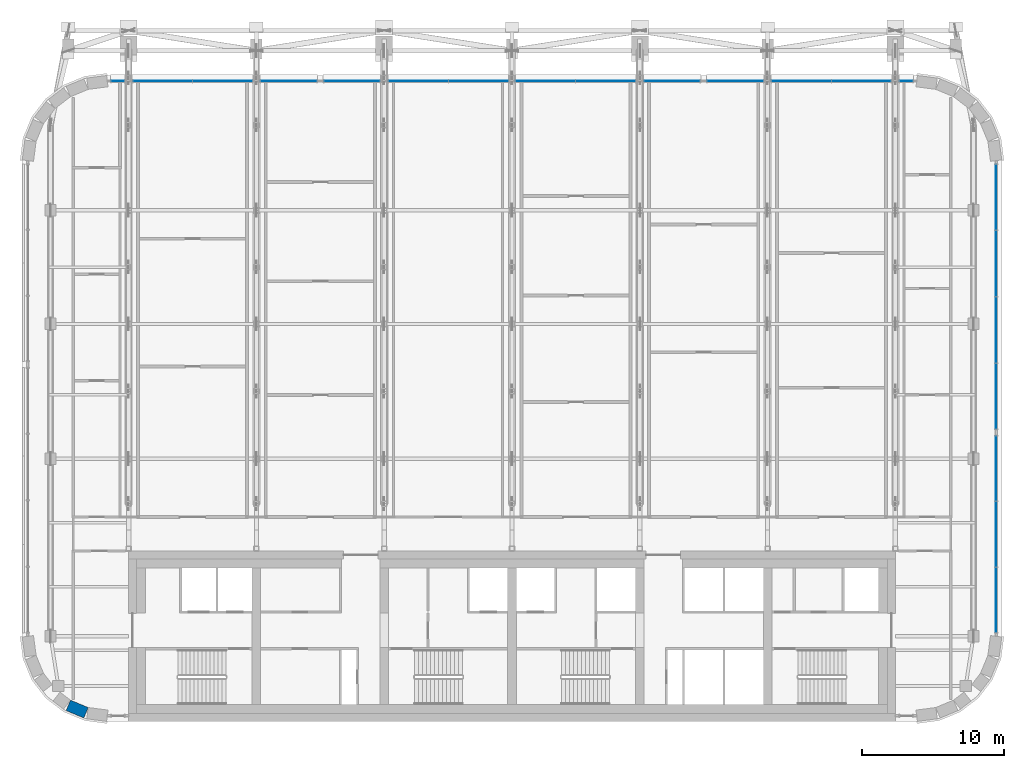
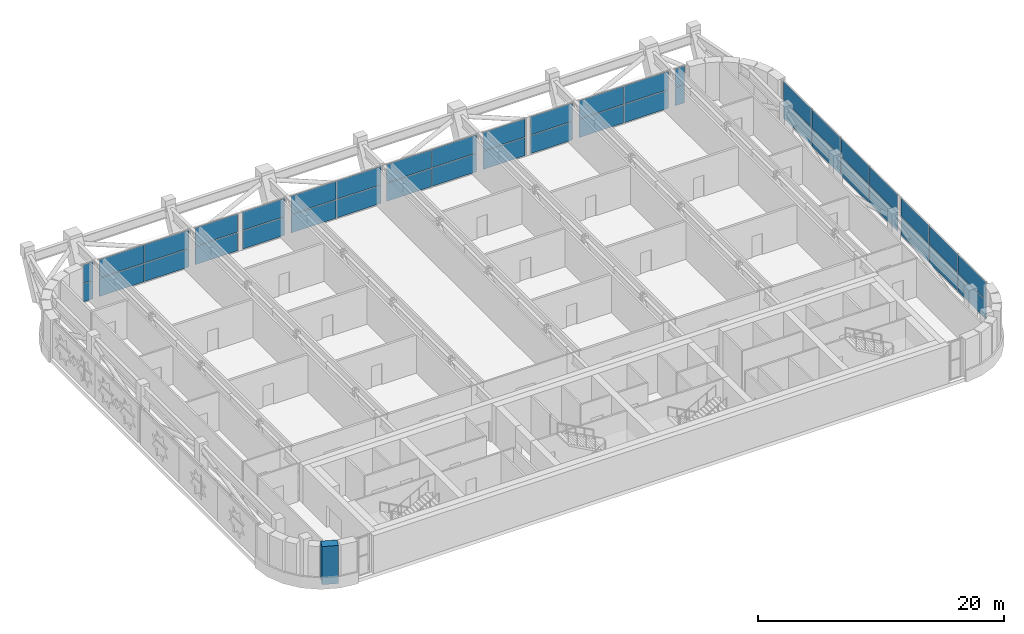
# One storey, part 17 of 28: 42 plates, 1 wall, 12 elements without a shape of their own.
"""IFC4 building model written with IfcOpenShell, lengths in metres."""

import ifcopenshell
import ifcopenshell.guid

model = None  # the IFC model being written
_history = None  # IfcOwnerHistory: only IFC2X3 demands one
_inside = {}  # id of a spatial element -> (the spatial element, [elements in it])
_under = {}  # id of a project, library or spatial element -> (it, [spatial elements below it])
_declared = {}  # id of a project -> (the project, [libraries it declares])
_typed = {}  # id of a type object -> (the type object, [elements of that type])
_made_of = {}  # id of a material, layer set ... -> (it, [elements and type objects made of it])


def new_model(schema):
    """Start an empty IFC model of exactly this schema.

    Asked for "IFC4X3", IfcOpenShell would pick the latest addendum, in which some entities
    have other attributes; the version numbers below select the first issue.
    IFC2X3 requires an IfcOwnerHistory on every rooted entity: one is made here for all.
    """
    global model, _history
    if schema == "IFC4X3":
        model = ifcopenshell.file(schema_version=(4, 3, 0, 0))
    else:
        model = ifcopenshell.file(schema=schema)
    _inside.clear()
    _under.clear()
    _declared.clear()
    _typed.clear()
    _made_of.clear()
    _history = None
    if model.schema == "IFC2X3":
        org = make("IfcOrganization", Name="unknown")
        user = make(
            "IfcPersonAndOrganization",
            ThePerson=make("IfcPerson", FamilyName="unknown"),
            TheOrganization=org,
        )
        app = make(
            "IfcApplication",
            ApplicationDeveloper=org,
            Version="unknown",
            ApplicationFullName="unknown",
            ApplicationIdentifier="unknown",
        )
        _history = make(
            "IfcOwnerHistory",
            OwningUser=user,
            OwningApplication=app,
            ChangeAction="ADDED",
            CreationDate=0,
        )
    return model


def make(cls, **values):
    """One entity of the class cls with the attributes given. An attribute that is None is left unset."""
    return model.create_entity(
        cls, **{name: value for name, value in values.items() if value is not None}
    )


def rooted(cls, **values):
    """An entity with a GlobalId (a new one), such as an element, a storey or a relation."""
    return make(cls, GlobalId=ifcopenshell.guid.new(), OwnerHistory=_history, **values)


def si_unit(unit_type, name, prefix=None):
    """IfcSIUnit, for example si_unit("LENGTHUNIT", "METRE", prefix="MILLI")."""
    return make("IfcSIUnit", UnitType=unit_type, Prefix=prefix, Name=name)


def assignment(units):
    """IfcUnitAssignment: the units of a project."""
    return None if units is None else make("IfcUnitAssignment", Units=units)


def point(xyz):
    """IfcCartesianPoint."""
    return None if xyz is None else make("IfcCartesianPoint", Coordinates=xyz)


def direction(xyz):
    """IfcDirection."""
    return None if xyz is None else make("IfcDirection", DirectionRatios=xyz)


def frame(location, z_axis=None, x_axis=None):
    """IfcAxis2Placement3D, a coordinate frame: its origin and axes. An axis left out is left unset."""
    return make(
        "IfcAxis2Placement3D",
        Location=point(location),
        Axis=direction(z_axis),
        RefDirection=direction(x_axis),
    )


def frame_2d(location, x_axis=None):
    """IfcAxis2Placement2D, a coordinate frame in the plane: its origin and x axis."""
    return make(
        "IfcAxis2Placement2D", Location=point(location), RefDirection=direction(x_axis)
    )


def origin():
    """The frame at (0, 0, 0) with its axes left unset."""
    return frame((0.0, 0.0, 0.0))


def origin_2d():
    """The frame at (0, 0) in the plane with its x axis left unset."""
    return frame_2d((0.0, 0.0))


def place(relative_to, where):
    """IfcLocalPlacement: puts the frame where relative to a parent placement (None: the world)."""
    return make(
        "IfcLocalPlacement", PlacementRelTo=relative_to, RelativePlacement=where
    )


def context(
    kind, dimensions, precision=None, world=None, true_north=None, identifier=None
):
    """IfcGeometricRepresentationContext, for example the 3D "Model" context."""
    return make(
        "IfcGeometricRepresentationContext",
        ContextIdentifier=identifier,
        ContextType=kind,
        CoordinateSpaceDimension=dimensions,
        Precision=precision,
        WorldCoordinateSystem=world,
        TrueNorth=true_north,
    )


def subcontext(parent, identifier, kind, view, scale=None):
    """IfcGeometricRepresentationSubContext, for example "Body" below "Model"."""
    return make(
        "IfcGeometricRepresentationSubContext",
        ContextIdentifier=identifier,
        ContextType=kind,
        ParentContext=parent,
        TargetScale=scale,
        TargetView=view,
    )


def project(units=None, contexts=None):
    """IfcProject with its units and contexts."""
    return rooted(
        "IfcProject",
        Name="project",
        RepresentationContexts=contexts,
        UnitsInContext=assignment(units),
    )


def spatial(cls, under=None, at=None, **own):
    """A site, building, storey or space (cls), placed at a placement, below another one or the project."""
    s = rooted(cls, ObjectPlacement=at, **own)
    if under is not None:
        _under.setdefault(under.id(), (under, []))[1].append(s)
    return s


def profile(cls, at=None, kind="AREA", **sizes):
    """A parametric profile (cls). Its sizes go by their IFC names, for example OverallWidth=200.0."""
    return make(cls, ProfileType=kind, Position=at, **sizes)


def rectangle(**sizes):
    """IfcRectangleProfileDef."""
    return profile("IfcRectangleProfileDef", **sizes)


def extrude(swept, where, along, depth):
    """IfcExtrudedAreaSolid: the profile swept, set in the frame where, extruded along a direction by depth."""
    return make(
        "IfcExtrudedAreaSolid",
        SweptArea=swept,
        Position=where,
        ExtrudedDirection=direction(along),
        Depth=depth,
    )


def shape(context_of_items, identifier, shape_type, items):
    """IfcShapeRepresentation: the items that make up one representation, for example the "Body"."""
    return make(
        "IfcShapeRepresentation",
        ContextOfItems=context_of_items,
        RepresentationIdentifier=identifier,
        RepresentationType=shape_type,
        Items=items,
    )


def material(Name=None, Category=None):
    """IfcMaterial."""
    return make("IfcMaterial", Name=Name, Category=Category)


def layer(
    of_material, thickness, ventilated=None, Name=None, Category=None, Priority=None
):
    """IfcMaterialLayer: one layer of a wall or slab, of a material (None: an air gap)."""
    return make(
        "IfcMaterialLayer",
        Material=of_material,
        LayerThickness=thickness,
        IsVentilated=ventilated,
        Name=Name,
        Category=Category,
        Priority=Priority,
    )


def layer_set(layers, Name=None):
    """IfcMaterialLayerSet."""
    return make("IfcMaterialLayerSet", MaterialLayers=layers, LayerSetName=Name)


def made_of(thing, what):
    """Note that an element or type object is made of a material, layer set ...; save() writes the relation."""
    if what is not None:
        _made_of.setdefault(what.id(), (what, []))[1].append(thing)
    return thing


def type_object(cls, material=None, **own):
    """A type object (cls), such as IfcWallType, which elements share."""
    return made_of(rooted(cls, **own), material)


def element(
    cls,
    number,
    at=None,
    inside=None,
    cuts=None,
    type_object=None,
    material=None,
    context=None,
    identifier="Body",
    shape_type=None,
    held_by="IfcProductDefinitionShape",
    body=None,
    shapes=None,
    **own,
):
    """One element of the class cls, such as IfcWall. Its Tag is "e" and its number.

    at: its placement. inside: the storey or other place that contains it. cuts: it is an
    opening in that element (IfcRelVoidsElement). A single representation is given by context,
    identifier, shape_type and body (its items); several are given by shapes. held_by: the class
    of the entity that holds the representations. save() writes the other relations.
    """
    e = rooted(cls, Tag="e%d" % number, ObjectPlacement=at, **own)
    if body is not None:
        shapes = [shape(context, identifier, shape_type, body)]
    if shapes is not None:
        e.Representation = make(held_by, Representations=shapes)
    if inside is not None:
        _inside.setdefault(inside.id(), (inside, []))[1].append(e)
    if cuts is not None:
        rooted(
            "IfcRelVoidsElement", RelatingBuildingElement=cuts, RelatedOpeningElement=e
        )
    if type_object is not None:
        _typed.setdefault(type_object.id(), (type_object, []))[1].append(e)
    return made_of(e, material)


def aggregate(whole, parts):
    """IfcRelAggregates: a whole, such as a stair, and the parts it consists of."""
    return rooted("IfcRelAggregates", RelatingObject=whole, RelatedObjects=parts)


def save(model, path):
    """Write the relations noted so far, then the file.

    IfcRelAggregates (storeys below a building ...), IfcRelContainedInSpatialStructure (elements
    in a storey), IfcRelDefinesByType, IfcRelAssociatesMaterial and IfcRelDeclares: one each for
    every whole, place, type object, material and project.
    """
    for whole, parts in _under.values():
        aggregate(whole, parts)
    for where, things in _inside.values():
        rooted(
            "IfcRelContainedInSpatialStructure",
            RelatedElements=things,
            RelatingStructure=where,
        )
    for kind, things in _typed.values():
        rooted("IfcRelDefinesByType", RelatedObjects=things, RelatingType=kind)
    for what, things in _made_of.values():
        rooted("IfcRelAssociatesMaterial", RelatedObjects=things, RelatingMaterial=what)
    for by, libraries in _declared.values():
        rooted("IfcRelDeclares", RelatingContext=by, RelatedDefinitions=libraries)
    model.write(path)


model = new_model("IFC4")

# Units and contexts
model_context = context("Model", 3, precision=1e-05, world=origin(), true_north=direction((0.0, 1.0)))
body_context = subcontext(model_context, "Body", "Model", "MODEL_VIEW")
ifc_project = project(units=[si_unit("LENGTHUNIT", "METRE"), si_unit("AREAUNIT", "SQUARE_METRE"), si_unit("VOLUMEUNIT", "CUBIC_METRE"), si_unit("PLANEANGLEUNIT", "RADIAN"), si_unit("MASSUNIT", "GRAM", prefix="KILO")], contexts=[model_context])

# Site, building, storey
site_placement = place(None, origin())
site = spatial("IfcSite", under=ifc_project, at=site_placement, CompositionType="ELEMENT")
building_placement = place(site_placement, origin())
building = spatial("IfcBuilding", under=site, at=building_placement, Name="Zellij Exchange Tower", CompositionType="ELEMENT")
storey_placement = place(building_placement, frame((0.0, 0.0, 268.5)))
storey = spatial("IfcBuildingStorey", under=building, at=storey_placement, Name="L63", CompositionType="ELEMENT", Elevation=268.5)

# Curtain wall, plates
ifc_material_1 = material(Name="Aluminium frame, clear insulating glass", Category="aluminium")
curtain_wall_type = type_object("IfcCurtainWallType", Name="ENV-CW2 Outrigger-storey glazing", PredefinedType="NOTDEFINED", material=ifc_material_1)
curtain_wall_1_placement = place(storey_placement, origin())
curtain_wall_1 = element("IfcCurtainWall", 1, at=curtain_wall_1_placement, inside=storey, type_object=curtain_wall_type, Name="cw.L63.07a", PredefinedType="NOTDEFINED")
ifc_material_2 = material(Name="Aluminium louvre", Category="aluminium")
ifc_layer_1 = layer(ifc_material_2, 0.031982421875)
ifc_layer_set_1 = layer_set([ifc_layer_1], Name="Aluminium louvre")
plate_type_1 = type_object("IfcPlateType", Name="ENV-CW2L Louvred panel 32", PredefinedType="CURTAIN_PANEL", material=ifc_layer_set_1)
plate_1_placement = place(storey_placement, frame((34.10009765625, -5.436279296875, 0.06005859375), z_axis=(0.0, 0.0, 1.0), x_axis=(0.0, 1.0, 0.0)))
plate_1 = element("IfcPlate", 2, at=plate_1_placement, type_object=plate_type_1, Name="CW2 panel 1.1", PredefinedType="CURTAIN_PANEL", context=body_context, shape_type="SweptSolid", body=[
    extrude(rectangle(XDim=4.554931640625, YDim=0.031982421875, at=origin_2d()), origin(), (0.0, 0.0, 1.0), 1.800048828125),
])
plate_2_placement = place(storey_placement, frame((34.10009765625, -0.806396484375, 0.06005859375), z_axis=(0.0, 0.0, 1.0), x_axis=(0.0, 1.0, 0.0)))
plate_2 = element("IfcPlate", 3, at=plate_2_placement, type_object=plate_type_1, Name="CW2 panel 2.1", PredefinedType="CURTAIN_PANEL", context=body_context, shape_type="SweptSolid", body=[
    extrude(rectangle(XDim=4.5849609375, YDim=0.031982421875, at=origin_2d()), origin(), (0.0, 0.0, 1.0), 1.800048828125),
])
plate_3_placement = place(storey_placement, frame((34.10009765625, -0.806396484375, 1.919921875), z_axis=(0.0, 0.0, 1.0), x_axis=(0.0, 1.0, 0.0)))
plate_3 = element("IfcPlate", 4, at=plate_3_placement, type_object=plate_type_1, Name="CW2 panel 2.2", PredefinedType="CURTAIN_PANEL", context=body_context, shape_type="SweptSolid", body=[
    extrude(rectangle(XDim=4.5849609375, YDim=0.031982421875, at=origin_2d()), origin(), (0.0, 0.0, 1.0), 1.800048828125),
])
plate_4_placement = place(storey_placement, frame((34.10009765625, 3.823486328125, 1.919921875), z_axis=(0.0, 0.0, 1.0), x_axis=(0.0, 1.0, 0.0)))
plate_4 = element("IfcPlate", 5, at=plate_4_placement, type_object=plate_type_1, Name="CW2 panel 3.2", PredefinedType="CURTAIN_PANEL", context=body_context, shape_type="SweptSolid", body=[
    extrude(rectangle(XDim=4.554931640625, YDim=0.031982421875, at=origin_2d()), origin(), (0.0, 0.0, 1.0), 1.800048828125),
])

curtain_wall_2_placement = place(storey_placement, origin())
curtain_wall_2 = element("IfcCurtainWall", 6, at=curtain_wall_2_placement, inside=storey, type_object=curtain_wall_type, Name="cw.L63.07b", PredefinedType="NOTDEFINED")
plate_5_placement = place(storey_placement, frame((34.10009765625, 8.9150390625, 0.06005859375), z_axis=(0.0, 0.0, 1.0), x_axis=(0.0, 1.0, 0.0)))
plate_5 = element("IfcPlate", 7, at=plate_5_placement, type_object=plate_type_1, Name="CW2 panel 1.1", PredefinedType="CURTAIN_PANEL", context=body_context, shape_type="SweptSolid", body=[
    extrude(rectangle(XDim=4.588134765625, YDim=0.031982421875, at=origin_2d()), origin(), (0.0, 0.0, 1.0), 1.800048828125),
])
plate_6_placement = place(storey_placement, frame((34.10009765625, 8.9150390625, 1.919921875), z_axis=(0.0, 0.0, 1.0), x_axis=(0.0, 1.0, 0.0)))
plate_6 = element("IfcPlate", 8, at=plate_6_placement, type_object=plate_type_1, Name="CW2 panel 1.2", PredefinedType="CURTAIN_PANEL", context=body_context, shape_type="SweptSolid", body=[
    extrude(rectangle(XDim=4.588134765625, YDim=0.031982421875, at=origin_2d()), origin(), (0.0, 0.0, 1.0), 1.800048828125),
])
plate_7_placement = place(storey_placement, frame((34.10009765625, 13.578125, 0.06005859375), z_axis=(0.0, 0.0, 1.0), x_axis=(0.0, 1.0, 0.0)))
plate_7 = element("IfcPlate", 9, at=plate_7_placement, type_object=plate_type_1, Name="CW2 panel 2.1", PredefinedType="CURTAIN_PANEL", context=body_context, shape_type="SweptSolid", body=[
    extrude(rectangle(XDim=4.6181640625, YDim=0.031982421875, at=origin_2d()), origin(), (0.0, 0.0, 1.0), 1.800048828125),
])
plate_8_placement = place(storey_placement, frame((34.10009765625, 18.25634765625, 0.06005859375), z_axis=(0.0, 0.0, 1.0), x_axis=(0.0, 1.0, 0.0)))
plate_8 = element("IfcPlate", 10, at=plate_8_placement, type_object=plate_type_1, Name="CW2 panel 3.1", PredefinedType="CURTAIN_PANEL", context=body_context, shape_type="SweptSolid", body=[
    extrude(rectangle(XDim=4.6181640625, YDim=0.031982421875, at=origin_2d()), origin(), (0.0, 0.0, 1.0), 1.800048828125),
])
plate_9_placement = place(storey_placement, frame((34.10009765625, 18.25634765625, 1.919921875), z_axis=(0.0, 0.0, 1.0), x_axis=(0.0, 1.0, 0.0)))
plate_9 = element("IfcPlate", 11, at=plate_9_placement, type_object=plate_type_1, Name="CW2 panel 3.2", PredefinedType="CURTAIN_PANEL", context=body_context, shape_type="SweptSolid", body=[
    extrude(rectangle(XDim=4.6181640625, YDim=0.031982421875, at=origin_2d()), origin(), (0.0, 0.0, 1.0), 1.800048828125),
])
plate_10_placement = place(storey_placement, frame((34.10009765625, 22.919677734375, 1.919921875), z_axis=(0.0, 0.0, 1.0), x_axis=(0.0, 1.0, 0.0)))
plate_10 = element("IfcPlate", 12, at=plate_10_placement, type_object=plate_type_1, Name="CW2 panel 4.2", PredefinedType="CURTAIN_PANEL", context=body_context, shape_type="SweptSolid", body=[
    extrude(rectangle(XDim=4.588134765625, YDim=0.031982421875, at=origin_2d()), origin(), (0.0, 0.0, 1.0), 1.800048828125),
])

# Plate
ifc_material_3 = material(Name="Insulating glass unit, clear", Category="glass")
ifc_layer_2 = layer(ifc_material_3, 0.031982421875)
ifc_layer_set_2 = layer_set([ifc_layer_2], Name="Insulating glass unit, clear")
plate_type_2 = type_object("IfcPlateType", Name="ENV-CW2P Glazed panel 32", PredefinedType="CURTAIN_PANEL", material=ifc_layer_set_2)
plate_11_placement = place(storey_placement, frame((34.10009765625, -5.436279296875, 1.919921875), z_axis=(0.0, 0.0, 1.0), x_axis=(0.0, 1.0, 0.0)))
plate_11 = element("IfcPlate", 13, at=plate_11_placement, type_object=plate_type_2, Name="CW2 panel 1.2", PredefinedType="CURTAIN_PANEL", context=body_context, shape_type="SweptSolid", body=[
    extrude(rectangle(XDim=4.554931640625, YDim=0.031982421875, at=origin_2d()), origin(), (0.0, 0.0, 1.0), 1.800048828125),
])

plate_12_placement = place(storey_placement, frame((34.10009765625, 3.823486328125, 0.06005859375), z_axis=(0.0, 0.0, 1.0), x_axis=(0.0, 1.0, 0.0)))
plate_12 = element("IfcPlate", 14, at=plate_12_placement, type_object=plate_type_2, Name="CW2 panel 3.1", PredefinedType="CURTAIN_PANEL", context=body_context, shape_type="SweptSolid", body=[
    extrude(rectangle(XDim=4.554931640625, YDim=0.031982421875, at=origin_2d()), origin(), (0.0, 0.0, 1.0), 1.800048828125),
])

aggregate(curtain_wall_1, [plate_1, plate_11, plate_2, plate_3, plate_12, plate_4])

plate_13_placement = place(storey_placement, frame((34.10009765625, 13.578125, 1.919921875), z_axis=(0.0, 0.0, 1.0), x_axis=(0.0, 1.0, 0.0)))
plate_13 = element("IfcPlate", 15, at=plate_13_placement, type_object=plate_type_2, Name="CW2 panel 2.2", PredefinedType="CURTAIN_PANEL", context=body_context, shape_type="SweptSolid", body=[
    extrude(rectangle(XDim=4.6181640625, YDim=0.031982421875, at=origin_2d()), origin(), (0.0, 0.0, 1.0), 1.800048828125),
])

plate_14_placement = place(storey_placement, frame((34.10009765625, 22.919677734375, 0.06005859375), z_axis=(0.0, 0.0, 1.0), x_axis=(0.0, 1.0, 0.0)))
plate_14 = element("IfcPlate", 16, at=plate_14_placement, type_object=plate_type_2, Name="CW2 panel 4.1", PredefinedType="CURTAIN_PANEL", context=body_context, shape_type="SweptSolid", body=[
    extrude(rectangle(XDim=4.588134765625, YDim=0.031982421875, at=origin_2d()), origin(), (0.0, 0.0, 1.0), 1.800048828125),
])

aggregate(curtain_wall_2, [plate_5, plate_6, plate_7, plate_13, plate_8, plate_9, plate_14, plate_10])

# Curtain wall, plates
curtain_wall_3_placement = place(storey_placement, origin())
curtain_wall_3 = element("IfcCurtainWall", 17, at=curtain_wall_3_placement, inside=storey, type_object=curtain_wall_type, Name="cw.L63.14a.a", PredefinedType="NOTDEFINED")
plate_15_placement = place(storey_placement, frame((27.761962890625, 31.10009765625, 0.06005859375), z_axis=(0.0, 0.0, 1.0), x_axis=(-1.0, 0.0, 0.0)))
plate_15 = element("IfcPlate", 18, at=plate_15_placement, type_object=plate_type_2, Name="CW2 panel 1.1", PredefinedType="CURTAIN_PANEL", context=body_context, shape_type="SweptSolid", body=[
    extrude(rectangle(XDim=0.90380859375, YDim=0.031982421875, at=origin_2d()), origin(), (0.0, 0.0, 1.0), 1.800048828125),
])
plate_16_placement = place(storey_placement, frame((27.761962890625, 31.10009765625, 1.919921875), z_axis=(0.0, 0.0, 1.0), x_axis=(-1.0, 0.0, 0.0)))
plate_16 = element("IfcPlate", 19, at=plate_16_placement, type_object=plate_type_2, Name="CW2 panel 1.2", PredefinedType="CURTAIN_PANEL", context=body_context, shape_type="SweptSolid", body=[
    extrude(rectangle(XDim=0.90380859375, YDim=0.031982421875, at=origin_2d()), origin(), (0.0, 0.0, 1.0), 1.800048828125),
])
aggregate(curtain_wall_3, [plate_15, plate_16])

curtain_wall_4_placement = place(storey_placement, origin())
curtain_wall_4 = element("IfcCurtainWall", 20, at=curtain_wall_4_placement, inside=storey, type_object=curtain_wall_type, Name="cw.L63.14a.b", PredefinedType="NOTDEFINED")
plate_17_placement = place(storey_placement, frame((24.610107421875, 31.10009765625, 0.06005859375), z_axis=(0.0, 0.0, 1.0), x_axis=(-1.0, 0.0, 0.0)))
plate_17 = element("IfcPlate", 21, at=plate_17_placement, type_object=plate_type_2, Name="CW2 panel 1.1", PredefinedType="CURTAIN_PANEL", context=body_context, shape_type="SweptSolid", body=[
    extrude(rectangle(XDim=4.16015625, YDim=0.031982421875, at=origin_2d()), origin(), (0.0, 0.0, 1.0), 1.800048828125),
])
plate_18_placement = place(storey_placement, frame((24.610107421875, 31.10009765625, 1.919921875), z_axis=(0.0, 0.0, 1.0), x_axis=(-1.0, 0.0, 0.0)))
plate_18 = element("IfcPlate", 22, at=plate_18_placement, type_object=plate_type_2, Name="CW2 panel 1.2", PredefinedType="CURTAIN_PANEL", context=body_context, shape_type="SweptSolid", body=[
    extrude(rectangle(XDim=4.16015625, YDim=0.031982421875, at=origin_2d()), origin(), (0.0, 0.0, 1.0), 1.800048828125),
])
plate_19_placement = place(storey_placement, frame((20.389892578125, 31.10009765625, 0.06005859375), z_axis=(0.0, 0.0, 1.0), x_axis=(-1.0, 0.0, 0.0)))
plate_19 = element("IfcPlate", 23, at=plate_19_placement, type_object=plate_type_2, Name="CW2 panel 2.1", PredefinedType="CURTAIN_PANEL", context=body_context, shape_type="SweptSolid", body=[
    extrude(rectangle(XDim=4.16015625, YDim=0.031982421875, at=origin_2d()), origin(), (0.0, 0.0, 1.0), 1.800048828125),
])
plate_20_placement = place(storey_placement, frame((20.389892578125, 31.10009765625, 1.919921875), z_axis=(0.0, 0.0, 1.0), x_axis=(-1.0, 0.0, 0.0)))
plate_20 = element("IfcPlate", 24, at=plate_20_placement, type_object=plate_type_2, Name="CW2 panel 2.2", PredefinedType="CURTAIN_PANEL", context=body_context, shape_type="SweptSolid", body=[
    extrude(rectangle(XDim=4.16015625, YDim=0.031982421875, at=origin_2d()), origin(), (0.0, 0.0, 1.0), 1.800048828125),
])
aggregate(curtain_wall_4, [plate_17, plate_18, plate_19, plate_20])

curtain_wall_5_placement = place(storey_placement, origin())
curtain_wall_5 = element("IfcCurtainWall", 25, at=curtain_wall_5_placement, inside=storey, type_object=curtain_wall_type, Name="cw.L63.14a.c", PredefinedType="NOTDEFINED")
plate_21_placement = place(storey_placement, frame((15.72509765625, 31.10009765625, 0.06005859375), z_axis=(0.0, 0.0, 1.0), x_axis=(-1.0, 0.0, 0.0)))
plate_21 = element("IfcPlate", 26, at=plate_21_placement, type_object=plate_type_2, Name="CW2 panel 1.1", PredefinedType="CURTAIN_PANEL", context=body_context, shape_type="SweptSolid", body=[
    extrude(rectangle(XDim=3.93017578125, YDim=0.031982421875, at=origin_2d()), origin(), (0.0, 0.0, 1.0), 1.800048828125),
])
plate_22_placement = place(storey_placement, frame((15.72509765625, 31.10009765625, 1.919921875), z_axis=(0.0, 0.0, 1.0), x_axis=(-1.0, 0.0, 0.0)))
plate_22 = element("IfcPlate", 27, at=plate_22_placement, type_object=plate_type_2, Name="CW2 panel 1.2", PredefinedType="CURTAIN_PANEL", context=body_context, shape_type="SweptSolid", body=[
    extrude(rectangle(XDim=3.93017578125, YDim=0.031982421875, at=origin_2d()), origin(), (0.0, 0.0, 1.0), 1.800048828125),
])
aggregate(curtain_wall_5, [plate_21, plate_22])

curtain_wall_6_placement = place(storey_placement, origin())
curtain_wall_6 = element("IfcCurtainWall", 28, at=curtain_wall_6_placement, inside=storey, type_object=curtain_wall_type, Name="cw.L63.14b.a", PredefinedType="NOTDEFINED")
plate_23_placement = place(storey_placement, frame((11.27490234375, 31.10009765625, 0.06005859375), z_axis=(0.0, 0.0, 1.0), x_axis=(-1.0, 0.0, 0.0)))
plate_23 = element("IfcPlate", 29, at=plate_23_placement, type_object=plate_type_2, Name="CW2 panel 1.1", PredefinedType="CURTAIN_PANEL", context=body_context, shape_type="SweptSolid", body=[
    extrude(rectangle(XDim=3.93017578125, YDim=0.031982421875, at=origin_2d()), origin(), (0.0, 0.0, 1.0), 1.800048828125),
])
plate_24_placement = place(storey_placement, frame((11.27490234375, 31.10009765625, 1.919921875), z_axis=(0.0, 0.0, 1.0), x_axis=(-1.0, 0.0, 0.0)))
plate_24 = element("IfcPlate", 30, at=plate_24_placement, type_object=plate_type_2, Name="CW2 panel 1.2", PredefinedType="CURTAIN_PANEL", context=body_context, shape_type="SweptSolid", body=[
    extrude(rectangle(XDim=3.93017578125, YDim=0.031982421875, at=origin_2d()), origin(), (0.0, 0.0, 1.0), 1.800048828125),
])
aggregate(curtain_wall_6, [plate_23, plate_24])

curtain_wall_7_placement = place(storey_placement, origin())
curtain_wall_7 = element("IfcCurtainWall", 31, at=curtain_wall_7_placement, inside=storey, type_object=curtain_wall_type, Name="cw.L63.14b.b", PredefinedType="NOTDEFINED")
plate_25_placement = place(storey_placement, frame((6.59765625, 31.10009765625, 0.06005859375), z_axis=(0.0, 0.0, 1.0), x_axis=(-1.0, 0.0, 0.0)))
plate_25 = element("IfcPlate", 32, at=plate_25_placement, type_object=plate_type_2, Name="CW2 panel 1.1", PredefinedType="CURTAIN_PANEL", context=body_context, shape_type="SweptSolid", body=[
    extrude(rectangle(XDim=4.18505859375, YDim=0.031982421875, at=origin_2d()), origin(), (0.0, 0.0, 1.0), 1.800048828125),
])
plate_26_placement = place(storey_placement, frame((6.59765625, 31.10009765625, 1.919921875), z_axis=(0.0, 0.0, 1.0), x_axis=(-1.0, 0.0, 0.0)))
plate_26 = element("IfcPlate", 33, at=plate_26_placement, type_object=plate_type_2, Name="CW2 panel 1.2", PredefinedType="CURTAIN_PANEL", context=body_context, shape_type="SweptSolid", body=[
    extrude(rectangle(XDim=4.18505859375, YDim=0.031982421875, at=origin_2d()), origin(), (0.0, 0.0, 1.0), 1.800048828125),
])
plate_27_placement = place(storey_placement, frame((2.3525390625, 31.10009765625, 0.06005859375), z_axis=(0.0, 0.0, 1.0), x_axis=(-1.0, 0.0, 0.0)))
plate_27 = element("IfcPlate", 34, at=plate_27_placement, type_object=plate_type_2, Name="CW2 panel 2.1", PredefinedType="CURTAIN_PANEL", context=body_context, shape_type="SweptSolid", body=[
    extrude(rectangle(XDim=4.18505859375, YDim=0.031982421875, at=origin_2d()), origin(), (0.0, 0.0, 1.0), 1.800048828125),
])
plate_28_placement = place(storey_placement, frame((2.3525390625, 31.10009765625, 1.919921875), z_axis=(0.0, 0.0, 1.0), x_axis=(-1.0, 0.0, 0.0)))
plate_28 = element("IfcPlate", 35, at=plate_28_placement, type_object=plate_type_2, Name="CW2 panel 2.2", PredefinedType="CURTAIN_PANEL", context=body_context, shape_type="SweptSolid", body=[
    extrude(rectangle(XDim=4.18505859375, YDim=0.031982421875, at=origin_2d()), origin(), (0.0, 0.0, 1.0), 1.800048828125),
])
aggregate(curtain_wall_7, [plate_25, plate_26, plate_27, plate_28])

curtain_wall_8_placement = place(storey_placement, origin())
curtain_wall_8 = element("IfcCurtainWall", 36, at=curtain_wall_8_placement, inside=storey, type_object=curtain_wall_type, Name="cw.L63.14c.a", PredefinedType="NOTDEFINED")
plate_29_placement = place(storey_placement, frame((-2.3525390625, 31.10009765625, 0.06005859375), z_axis=(0.0, 0.0, 1.0), x_axis=(-1.0, 0.0, 0.0)))
plate_29 = element("IfcPlate", 37, at=plate_29_placement, type_object=plate_type_2, Name="CW2 panel 1.1", PredefinedType="CURTAIN_PANEL", context=body_context, shape_type="SweptSolid", body=[
    extrude(rectangle(XDim=4.18505859375, YDim=0.031982421875, at=origin_2d()), origin(), (0.0, 0.0, 1.0), 1.800048828125),
])
plate_30_placement = place(storey_placement, frame((-2.3525390625, 31.10009765625, 1.919921875), z_axis=(0.0, 0.0, 1.0), x_axis=(-1.0, 0.0, 0.0)))
plate_30 = element("IfcPlate", 38, at=plate_30_placement, type_object=plate_type_2, Name="CW2 panel 1.2", PredefinedType="CURTAIN_PANEL", context=body_context, shape_type="SweptSolid", body=[
    extrude(rectangle(XDim=4.18505859375, YDim=0.031982421875, at=origin_2d()), origin(), (0.0, 0.0, 1.0), 1.800048828125),
])
plate_31_placement = place(storey_placement, frame((-6.59765625, 31.10009765625, 0.06005859375), z_axis=(0.0, 0.0, 1.0), x_axis=(-1.0, 0.0, 0.0)))
plate_31 = element("IfcPlate", 39, at=plate_31_placement, type_object=plate_type_2, Name="CW2 panel 2.1", PredefinedType="CURTAIN_PANEL", context=body_context, shape_type="SweptSolid", body=[
    extrude(rectangle(XDim=4.18505859375, YDim=0.031982421875, at=origin_2d()), origin(), (0.0, 0.0, 1.0), 1.800048828125),
])
plate_32_placement = place(storey_placement, frame((-6.59765625, 31.10009765625, 1.919921875), z_axis=(0.0, 0.0, 1.0), x_axis=(-1.0, 0.0, 0.0)))
plate_32 = element("IfcPlate", 40, at=plate_32_placement, type_object=plate_type_2, Name="CW2 panel 2.2", PredefinedType="CURTAIN_PANEL", context=body_context, shape_type="SweptSolid", body=[
    extrude(rectangle(XDim=4.18505859375, YDim=0.031982421875, at=origin_2d()), origin(), (0.0, 0.0, 1.0), 1.800048828125),
])
aggregate(curtain_wall_8, [plate_29, plate_30, plate_31, plate_32])

curtain_wall_9_placement = place(storey_placement, origin())
curtain_wall_9 = element("IfcCurtainWall", 41, at=curtain_wall_9_placement, inside=storey, type_object=curtain_wall_type, Name="cw.L63.14c.b", PredefinedType="NOTDEFINED")
plate_33_placement = place(storey_placement, frame((-11.27490234375, 31.10009765625, 0.06005859375), z_axis=(0.0, 0.0, 1.0), x_axis=(-1.0, 0.0, 0.0)))
plate_33 = element("IfcPlate", 42, at=plate_33_placement, type_object=plate_type_2, Name="CW2 panel 1.1", PredefinedType="CURTAIN_PANEL", context=body_context, shape_type="SweptSolid", body=[
    extrude(rectangle(XDim=3.93017578125, YDim=0.031982421875, at=origin_2d()), origin(), (0.0, 0.0, 1.0), 1.800048828125),
])
plate_34_placement = place(storey_placement, frame((-11.27490234375, 31.10009765625, 1.919921875), z_axis=(0.0, 0.0, 1.0), x_axis=(-1.0, 0.0, 0.0)))
plate_34 = element("IfcPlate", 43, at=plate_34_placement, type_object=plate_type_2, Name="CW2 panel 1.2", PredefinedType="CURTAIN_PANEL", context=body_context, shape_type="SweptSolid", body=[
    extrude(rectangle(XDim=3.93017578125, YDim=0.031982421875, at=origin_2d()), origin(), (0.0, 0.0, 1.0), 1.800048828125),
])
aggregate(curtain_wall_9, [plate_33, plate_34])

curtain_wall_10_placement = place(storey_placement, origin())
curtain_wall_10 = element("IfcCurtainWall", 44, at=curtain_wall_10_placement, inside=storey, type_object=curtain_wall_type, Name="cw.L63.14d.a", PredefinedType="NOTDEFINED")
plate_35_placement = place(storey_placement, frame((-15.72509765625, 31.10009765625, 0.06005859375), z_axis=(0.0, 0.0, 1.0), x_axis=(-1.0, 0.0, 0.0)))
plate_35 = element("IfcPlate", 45, at=plate_35_placement, type_object=plate_type_2, Name="CW2 panel 1.1", PredefinedType="CURTAIN_PANEL", context=body_context, shape_type="SweptSolid", body=[
    extrude(rectangle(XDim=3.93017578125, YDim=0.031982421875, at=origin_2d()), origin(), (0.0, 0.0, 1.0), 1.800048828125),
])
plate_36_placement = place(storey_placement, frame((-15.72509765625, 31.10009765625, 1.919921875), z_axis=(0.0, 0.0, 1.0), x_axis=(-1.0, 0.0, 0.0)))
plate_36 = element("IfcPlate", 46, at=plate_36_placement, type_object=plate_type_2, Name="CW2 panel 1.2", PredefinedType="CURTAIN_PANEL", context=body_context, shape_type="SweptSolid", body=[
    extrude(rectangle(XDim=3.93017578125, YDim=0.031982421875, at=origin_2d()), origin(), (0.0, 0.0, 1.0), 1.800048828125),
])
aggregate(curtain_wall_10, [plate_35, plate_36])

curtain_wall_11_placement = place(storey_placement, origin())
curtain_wall_11 = element("IfcCurtainWall", 47, at=curtain_wall_11_placement, inside=storey, type_object=curtain_wall_type, Name="cw.L63.14d.b", PredefinedType="NOTDEFINED")
plate_37_placement = place(storey_placement, frame((-20.389892578125, 31.10009765625, 0.06005859375), z_axis=(0.0, 0.0, 1.0), x_axis=(-1.0, 0.0, 0.0)))
plate_37 = element("IfcPlate", 48, at=plate_37_placement, type_object=plate_type_2, Name="CW2 panel 1.1", PredefinedType="CURTAIN_PANEL", context=body_context, shape_type="SweptSolid", body=[
    extrude(rectangle(XDim=4.16015625, YDim=0.031982421875, at=origin_2d()), origin(), (0.0, 0.0, 1.0), 1.800048828125),
])
plate_38_placement = place(storey_placement, frame((-20.389892578125, 31.10009765625, 1.919921875), z_axis=(0.0, 0.0, 1.0), x_axis=(-1.0, 0.0, 0.0)))
plate_38 = element("IfcPlate", 49, at=plate_38_placement, type_object=plate_type_2, Name="CW2 panel 1.2", PredefinedType="CURTAIN_PANEL", context=body_context, shape_type="SweptSolid", body=[
    extrude(rectangle(XDim=4.16015625, YDim=0.031982421875, at=origin_2d()), origin(), (0.0, 0.0, 1.0), 1.800048828125),
])
plate_39_placement = place(storey_placement, frame((-24.610107421875, 31.10009765625, 0.06005859375), z_axis=(0.0, 0.0, 1.0), x_axis=(-1.0, 0.0, 0.0)))
plate_39 = element("IfcPlate", 50, at=plate_39_placement, type_object=plate_type_2, Name="CW2 panel 2.1", PredefinedType="CURTAIN_PANEL", context=body_context, shape_type="SweptSolid", body=[
    extrude(rectangle(XDim=4.16015625, YDim=0.031982421875, at=origin_2d()), origin(), (0.0, 0.0, 1.0), 1.800048828125),
])
plate_40_placement = place(storey_placement, frame((-24.610107421875, 31.10009765625, 1.919921875), z_axis=(0.0, 0.0, 1.0), x_axis=(-1.0, 0.0, 0.0)))
plate_40 = element("IfcPlate", 51, at=plate_40_placement, type_object=plate_type_2, Name="CW2 panel 2.2", PredefinedType="CURTAIN_PANEL", context=body_context, shape_type="SweptSolid", body=[
    extrude(rectangle(XDim=4.16015625, YDim=0.031982421875, at=origin_2d()), origin(), (0.0, 0.0, 1.0), 1.800048828125),
])
aggregate(curtain_wall_11, [plate_37, plate_38, plate_39, plate_40])

curtain_wall_12_placement = place(storey_placement, origin())
curtain_wall_12 = element("IfcCurtainWall", 52, at=curtain_wall_12_placement, inside=storey, type_object=curtain_wall_type, Name="cw.L63.14d.c", PredefinedType="NOTDEFINED")
plate_41_placement = place(storey_placement, frame((-27.761962890625, 31.10009765625, 0.06005859375), z_axis=(0.0, 0.0, 1.0), x_axis=(-1.0, 0.0, 0.0)))
plate_41 = element("IfcPlate", 53, at=plate_41_placement, type_object=plate_type_2, Name="CW2 panel 1.1", PredefinedType="CURTAIN_PANEL", context=body_context, shape_type="SweptSolid", body=[
    extrude(rectangle(XDim=0.90380859375, YDim=0.031982421875, at=origin_2d()), origin(), (0.0, 0.0, 1.0), 1.800048828125),
])
plate_42_placement = place(storey_placement, frame((-27.761962890625, 31.10009765625, 1.919921875), z_axis=(0.0, 0.0, 1.0), x_axis=(-1.0, 0.0, 0.0)))
plate_42 = element("IfcPlate", 54, at=plate_42_placement, type_object=plate_type_2, Name="CW2 panel 1.2", PredefinedType="CURTAIN_PANEL", context=body_context, shape_type="SweptSolid", body=[
    extrude(rectangle(XDim=0.90380859375, YDim=0.031982421875, at=origin_2d()), origin(), (0.0, 0.0, 1.0), 1.800048828125),
])
aggregate(curtain_wall_12, [plate_41, plate_42])

# Wall
ifc_material_4 = material(Name="Precast concrete C40/50", Category="concrete")
ifc_layer_3 = layer(ifc_material_4, 0.800048828125)
ifc_layer_set_3 = layer_set([ifc_layer_3], Name="Precast concrete C40/50")
wall_type = type_object("IfcWallType", Name="ENV-EW1 Precast stone-piered wall 800", PredefinedType="SOLIDWALL", material=ifc_layer_set_3)
wall_placement = place(storey_placement, frame((-31.24951171875, -12.866943359375, 0.0), z_axis=(0.0, 0.0, 1.0), x_axis=(0.923847774587, -0.38276009378, 0.0)))
element("IfcWall", 55, at=wall_placement, inside=storey, type_object=wall_type, Name="fac.L63.26", PredefinedType="SOLIDWALL", context=body_context, shape_type="SweptSolid", body=[
    extrude(rectangle(XDim=1.35546875, YDim=0.800048828125, at=frame_2d((0.677734375, 0.0))), origin(), (0.0, 0.0, 1.0), 3.780029296875),
])

save(model, "model.ifc")
